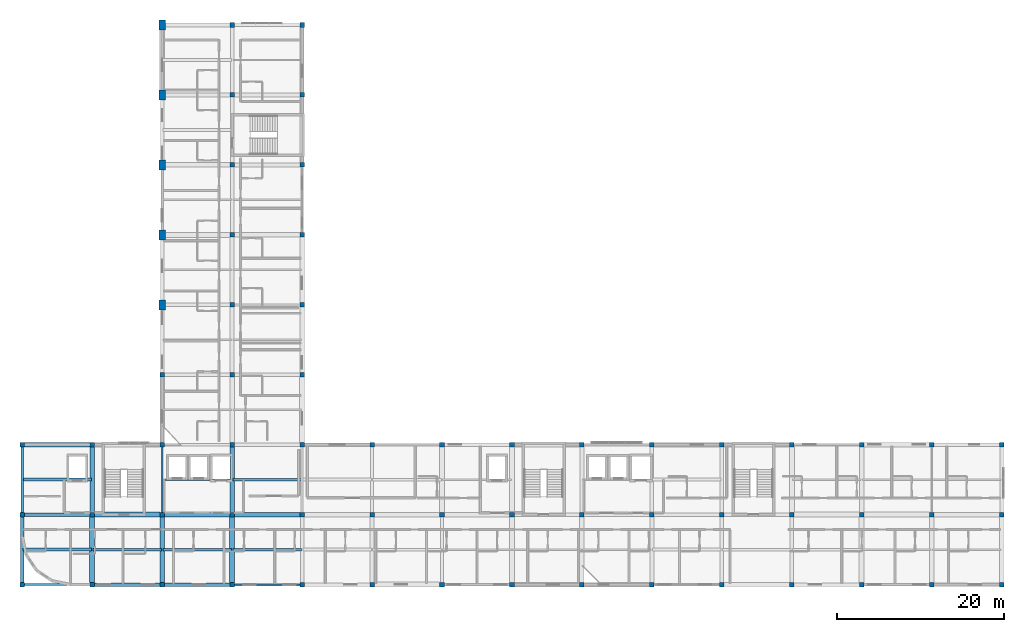
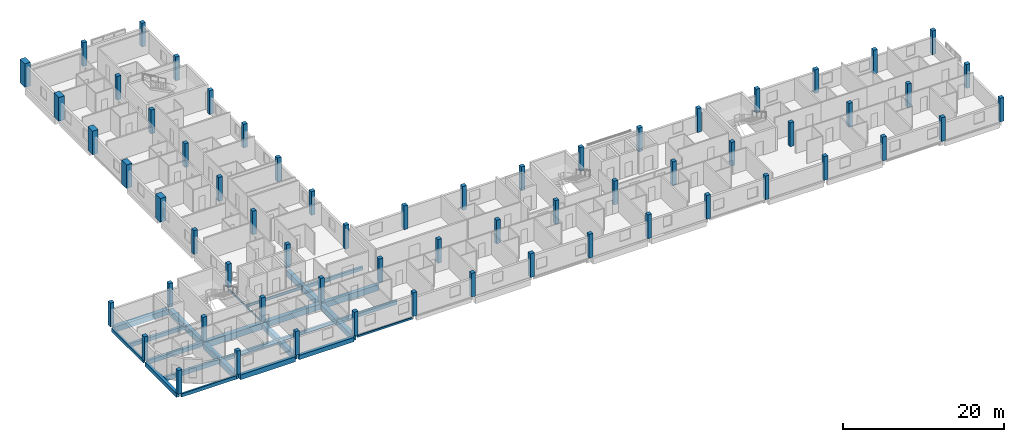
# One storey, part 1 of 20: 63 columns, 24 beams.
"""IFC4 building model written with IfcOpenShell, lengths in metres."""

from ifc_helpers import new_model, si_unit, derived_unit, direction, frame, origin, origin_2d, place, context, subcontext, project, spatial, rectangle, hollow_rectangle, i_section, extrude, material, material_profile, profile_set, type_object, element, save


model = new_model("IFC4")

# Units and contexts
model_context = context("Model", 3, precision=1e-05, world=origin(), true_north=direction((0.0, 1.0)))
body_context = subcontext(model_context, "Body", "Model", "MODEL_VIEW")
ifc_project = project(units=[si_unit("LENGTHUNIT", "METRE"), si_unit("AREAUNIT", "SQUARE_METRE"), si_unit("VOLUMEUNIT", "CUBIC_METRE"), si_unit("PLANEANGLEUNIT", "RADIAN"), si_unit("MASSUNIT", "GRAM", prefix="KILO"), derived_unit("THERMALTRANSMITTANCEUNIT", [(si_unit("POWERUNIT", "WATT"), 1), (si_unit("LENGTHUNIT", "METRE"), -2), (si_unit("THERMODYNAMICTEMPERATUREUNIT", "KELVIN"), -1)])], contexts=[model_context])

# Site, building, storey
site_placement = place(None, origin())
site = spatial("IfcSite", under=ifc_project, at=site_placement, CompositionType="ELEMENT")
building_placement = place(site_placement, origin())
building = spatial("IfcBuilding", under=site, at=building_placement, Name="Barrovel Congress Hotel", CompositionType="ELEMENT")
storey_placement = place(building_placement, frame((0.0, 0.0, 36.300048828125)))
storey = spatial("IfcBuildingStorey", under=building, at=storey_placement, Name="L09", CompositionType="ELEMENT", Elevation=36.300048828125)

# Columns
ifc_material_1 = material(Name="Concrete C40", Category="concrete")
ifc_material_profile_1 = material_profile(ifc_material_1, rectangle(XDim=0.550048828125, YDim=0.550048828125, at=origin_2d()), Name="RC550x550")
ifc_profile_set_1 = profile_set([ifc_material_profile_1], Name="Concrete C40")
column_type_1 = type_object("IfcColumnType", Name="COL-RC550x550", PredefinedType="COLUMN", material=ifc_profile_set_1)
for number, where, z_axis, x_axis, name in (
    (1, (16.800048828125, 4.199951171875, 0.0), (0.0, 0.0, 1.0), (1.0, 0.0, 0.0), "COL:L09:16.8:4.2"),
    (2, (16.800048828125, 12.60009765625, 0.0), (0.0, 0.0, 1.0), (1.0, 0.0, 0.0), "COL:L09:16.8:12.6"),
    (3, (16.800048828125, 21.0, 0.0), (0.0, 0.0, 1.0), (1.0, 0.0, 0.0), "COL:L09:16.8:21.0"),
    (4, (25.199951171875, 4.199951171875, 0.0), (0.0, 0.0, 1.0), (1.0, 0.0, 0.0), "COL:L09:25.2:4.2"),
    (5, (25.199951171875, 12.60009765625, 0.0), (0.0, 0.0, 1.0), (1.0, 0.0, 0.0), "COL:L09:25.2:12.6"),
    (6, (25.199951171875, 21.0, 0.0), (0.0, 0.0, 1.0), (1.0, 0.0, 0.0), "COL:L09:25.2:21.0"),
    (7, (33.60009765625, 4.199951171875, 0.0), (0.0, 0.0, 1.0), (1.0, 0.0, 0.0), "COL:L09:33.6:4.2"),
    (8, (33.60009765625, 12.60009765625, 0.0), (0.0, 0.0, 1.0), (1.0, 0.0, 0.0), "COL:L09:33.6:12.6"),
    (9, (33.60009765625, 21.0, 0.0), (0.0, 0.0, 1.0), (1.0, 0.0, 0.0), "COL:L09:33.6:21.0"),
    (10, (33.60009765625, 29.39990234375, 0.0), (0.0, 0.0, 1.0), (1.0, 0.0, 0.0), "COL:L09:33.6:29.4"),
    (11, (42.0, 4.199951171875, 0.0), (0.0, 0.0, 1.0), (1.0, 0.0, 0.0), "COL:L09:42.0:4.2"),
    (12, (42.0, 12.60009765625, 0.0), (0.0, 0.0, 1.0), (1.0, 0.0, 0.0), "COL:L09:42.0:12.6"),
    (13, (42.0, 21.0, 0.0), (0.0, 0.0, 1.0), (1.0, 0.0, 0.0), "COL:L09:42.0:21.0"),
    (14, (42.0, 29.39990234375, 0.0), (0.0, 0.0, 1.0), (1.0, 0.0, 0.0), "COL:L09:42.0:29.4"),
    (15, (42.0, 37.800048828125, 0.0), (0.0, 0.0, 1.0), (1.0, 0.0, 0.0), "COL:L09:42.0:37.8"),
    (16, (42.0, 46.199951171875, 0.0), (0.0, 0.0, 1.0), (1.0, 0.0, 0.0), "COL:L09:42.0:46.2"),
    (17, (42.0, 54.60009765625, 0.0), (0.0, 0.0, 1.0), (1.0, 0.0, 0.0), "COL:L09:42.0:54.6"),
    (18, (42.0, 63.0, 0.0), (0.0, 0.0, 1.0), (1.0, 0.0, 0.0), "COL:L09:42.0:63.0"),
    (19, (42.0, 71.39990234375, 0.0), (0.0, 0.0, 1.0), (1.0, 0.0, 0.0), "COL:L09:42.0:71.4"),
    (20, (50.39990234375, 4.199951171875, 0.0), (0.0, 0.0, 1.0), (1.0, 0.0, 0.0), "COL:L09:50.4:4.2"),
    (21, (50.39990234375, 12.60009765625, 0.0), (0.0, 0.0, 1.0), (1.0, 0.0, 0.0), "COL:L09:50.4:12.6"),
    (22, (50.39990234375, 21.0, 0.0), (0.0, 0.0, 1.0), (1.0, 0.0, 0.0), "COL:L09:50.4:21.0"),
    (23, (50.39990234375, 29.39990234375, 0.0), (0.0, 0.0, 1.0), (1.0, 0.0, 0.0), "COL:L09:50.4:29.4"),
    (24, (50.39990234375, 37.800048828125, 0.0), (0.0, 0.0, 1.0), (1.0, 0.0, 0.0), "COL:L09:50.4:37.8"),
    (25, (50.39990234375, 46.199951171875, 0.0), (0.0, 0.0, 1.0), (1.0, 0.0, 0.0), "COL:L09:50.4:46.2"),
    (26, (50.39990234375, 54.60009765625, 0.0), (0.0, 0.0, 1.0), (1.0, 0.0, 0.0), "COL:L09:50.4:54.6"),
    (27, (50.39990234375, 63.0, 0.0), (0.0, 0.0, 1.0), (1.0, 0.0, 0.0), "COL:L09:50.4:63.0"),
    (28, (50.39990234375, 71.39990234375, 0.0), (0.0, 0.0, 1.0), (1.0, 0.0, 0.0), "COL:L09:50.4:71.4"),
    (29, (58.800048828125, 4.199951171875, 0.0), (0.0, 0.0, 1.0), (1.0, 0.0, 0.0), "COL:L09:58.8:4.2"),
    (30, (58.800048828125, 12.60009765625, 0.0), (0.0, 0.0, 1.0), (1.0, 0.0, 0.0), "COL:L09:58.8:12.6"),
    (31, (58.800048828125, 21.0, 0.0), (0.0, 0.0, 1.0), (1.0, 0.0, 0.0), "COL:L09:58.8:21.0"),
    (32, (67.199951171875, 4.199951171875, 0.0), (0.0, 0.0, 1.0), (1.0, 0.0, 0.0), "COL:L09:67.2:4.2"),
    (33, (67.199951171875, 12.60009765625, 0.0), (0.0, 0.0, 1.0), (1.0, 0.0, 0.0), "COL:L09:67.2:12.6"),
    (34, (67.199951171875, 21.0, 0.0), (0.0, 0.0, 1.0), (1.0, 0.0, 0.0), "COL:L09:67.2:21.0"),
    (35, (75.60009765625, 4.199951171875, 0.0), (0.0, 0.0, 1.0), (1.0, 0.0, 0.0), "COL:L09:75.6:4.2"),
    (36, (75.60009765625, 12.60009765625, 0.0), (0.0, 0.0, 1.0), (1.0, 0.0, 0.0), "COL:L09:75.6:12.6"),
    (37, (75.60009765625, 21.0, 0.0), (0.0, 0.0, 1.0), (1.0, 0.0, 0.0), "COL:L09:75.6:21.0"),
    (38, (84.0, 4.199951171875, 0.0), (0.0, 0.0, 1.0), (1.0, 0.0, 0.0), "COL:L09:84.0:4.2"),
    (39, (84.0, 12.60009765625, 0.0), (0.0, 0.0, 1.0), (1.0, 0.0, 0.0), "COL:L09:84.0:12.6"),
    (40, (84.0, 21.0, 0.0), (0.0, 0.0, 1.0), (1.0, 0.0, 0.0), "COL:L09:84.0:21.0"),
    (41, (92.39990234375, 4.199951171875, 0.0), (0.0, 0.0, 1.0), (1.0, 0.0, 0.0), "COL:L09:92.4:4.2"),
    (42, (92.39990234375, 12.60009765625, 0.0), (0.0, 0.0, 1.0), (1.0, 0.0, 0.0), "COL:L09:92.4:12.6"),
    (43, (92.39990234375, 21.0, 0.0), (0.0, 0.0, 1.0), (1.0, 0.0, 0.0), "COL:L09:92.4:21.0"),
    (44, (100.800048828125, 4.199951171875, 0.0), (0.0, 0.0, 1.0), (1.0, 0.0, 0.0), "COL:L09:100.8:4.2"),
    (45, (100.800048828125, 12.60009765625, 0.0), (0.0, 0.0, 1.0), (1.0, 0.0, 0.0), "COL:L09:100.8:12.6"),
    (46, (100.800048828125, 21.0, 0.0), (0.0, 0.0, 1.0), (1.0, 0.0, 0.0), "COL:L09:100.8:21.0"),
    (47, (109.199951171875, 4.199951171875, 0.0), (0.0, 0.0, 1.0), (1.0, 0.0, 0.0), "COL:L09:109.2:4.2"),
    (48, (109.199951171875, 12.60009765625, 0.0), (0.0, 0.0, 1.0), (1.0, 0.0, 0.0), "COL:L09:109.2:12.6"),
    (49, (109.199951171875, 21.0, 0.0), (0.0, 0.0, 1.0), (1.0, 0.0, 0.0), "COL:L09:109.2:21.0"),
    (50, (117.60009765625, 4.199951171875, 0.0), (0.0, 0.0, 1.0), (1.0, 0.0, 0.0), "COL:L09:117.6:4.2"),
    (51, (117.60009765625, 12.60009765625, 0.0), (0.0, 0.0, 1.0), (1.0, 0.0, 0.0), "COL:L09:117.6:12.6"),
    (52, (117.60009765625, 21.0, 0.0), (0.0, 0.0, 1.0), (1.0, 0.0, 0.0), "COL:L09:117.6:21.0"),
    (53, (126.0, 4.199951171875, 0.0), (0.0, 0.0, 1.0), (1.0, 0.0, 0.0), "COL:L09:126.0:4.2"),
    (54, (126.0, 12.60009765625, 0.0), (0.0, 0.0, 1.0), (1.0, 0.0, 0.0), "COL:L09:126.0:12.6"),
    (55, (126.0, 21.0, 0.0), (0.0, 0.0, 1.0), (1.0, 0.0, 0.0), "COL:L09:126.0:21.0"),
    (56, (134.39990234375, 4.199951171875, 0.0), (0.0, 0.0, 1.0), (1.0, 0.0, 0.0), "COL:L09:134.4:4.2"),
    (57, (134.39990234375, 12.60009765625, 0.0), (0.0, 0.0, 1.0), (1.0, 0.0, 0.0), "COL:L09:134.4:12.6"),
    (58, (134.39990234375, 21.0, 0.0), (0.0, 0.0, 1.0), (1.0, 0.0, 0.0), "COL:L09:134.4:21.0"),
):
    element("IfcColumn", number, at=place(storey_placement, frame(where, z_axis=z_axis, x_axis=x_axis)), inside=storey, type_object=column_type_1, Name=name, PredefinedType="COLUMN", context=body_context, shape_type="SweptSolid", body=[
        extrude(rectangle(XDim=0.550048828125, YDim=0.550048828125, at=origin_2d()), origin(), (0.0, 0.0, 1.0), 3.599853515625),
    ])
ifc_material_profile_2 = material_profile(ifc_material_1, rectangle(XDim=0.800048828125, YDim=1.199951171875, at=origin_2d()), Name="RC800x1200")
ifc_profile_set_2 = profile_set([ifc_material_profile_2], Name="Concrete C40")
column_type_2 = type_object("IfcColumnType", Name="COL-RC800x1200", PredefinedType="COLUMN", material=ifc_profile_set_2)
for number, where, z_axis, x_axis, name in (
    (59, (33.60009765625, 37.800048828125, 0.0), (0.0, 0.0, 1.0), (1.0, 0.0, 0.0), "COL:L09:33.6:37.8"),
    (60, (33.60009765625, 46.199951171875, 0.0), (0.0, 0.0, 1.0), (1.0, 0.0, 0.0), "COL:L09:33.6:46.2"),
    (61, (33.60009765625, 54.60009765625, 0.0), (0.0, 0.0, 1.0), (1.0, 0.0, 0.0), "COL:L09:33.6:54.6"),
    (62, (33.60009765625, 63.0, 0.0), (0.0, 0.0, 1.0), (1.0, 0.0, 0.0), "COL:L09:33.6:63.0"),
    (63, (33.60009765625, 71.39990234375, 0.0), (0.0, 0.0, 1.0), (1.0, 0.0, 0.0), "COL:L09:33.6:71.4"),
):
    element("IfcColumn", number, at=place(storey_placement, frame(where, z_axis=z_axis, x_axis=x_axis)), inside=storey, type_object=column_type_2, Name=name, PredefinedType="COLUMN", context=body_context, shape_type="SweptSolid", body=[
        extrude(rectangle(XDim=0.800048828125, YDim=1.199951171875, at=origin_2d()), origin(), (0.0, 0.0, 1.0), 3.599853515625),
    ])

# Beams
ifc_material_profile_3 = material_profile(ifc_material_1, rectangle(XDim=0.25, YDim=0.5, at=origin_2d()), Name="RC250x500")
ifc_profile_set_3 = profile_set([ifc_material_profile_3], Name="Concrete C40")
beam_type_1 = type_object("IfcBeamType", Name="BM-RC250x500", PredefinedType="SPANDREL", material=ifc_profile_set_3)
for number, where, z_axis, x_axis, name in (
    (64, (17.074951171875, 4.199951171875, -0.469970703125), (1.0, 0.0, 0.0), (0.0, 1.0, 0.0), "BMX:L09:4.2:16.8-25.2"),
    (65, (16.800048828125, 12.875, -0.469970703125), (0.0, 1.0, 0.0), (-1.0, 0.0, 0.0), "BMY:L09:16.8:12.6-21.0"),
):
    element("IfcBeam", number, at=place(storey_placement, frame(where, z_axis=z_axis, x_axis=x_axis)), inside=storey, type_object=beam_type_1, Name=name, PredefinedType="SPANDREL", context=body_context, shape_type="SweptSolid", body=[
        extrude(rectangle(XDim=0.25, YDim=0.5, at=origin_2d()), origin(), (0.0, 0.0, 1.0), 7.85009765625),
    ])
ifc_material_profile_4 = material_profile(ifc_material_1, rectangle(XDim=0.300048828125, YDim=0.5, at=origin_2d()), Name="RC300x500")
ifc_profile_set_4 = profile_set([ifc_material_profile_4], Name="Concrete C40")
beam_type_2 = type_object("IfcBeamType", Name="BM-RC300x500", PredefinedType="JOIST", material=ifc_profile_set_4)
for number, where, z_axis, x_axis, name in (
    (66, (33.679931640625, 8.39990234375, -0.469970703125), (1.0, 0.0, 0.0), (0.0, 1.0, 0.0), "JST:L09:33.6:8.4"),
    (67, (42.080078125, 16.800048828125, -0.469970703125), (1.0, 0.0, 0.0), (0.0, 1.0, 0.0), "JST:L09:42.0:16.8"),
):
    element("IfcBeam", number, at=place(storey_placement, frame(where, z_axis=z_axis, x_axis=x_axis)), inside=storey, type_object=beam_type_2, Name=name, PredefinedType="JOIST", context=body_context, shape_type="SweptSolid", body=[
        extrude(rectangle(XDim=0.300048828125, YDim=0.5, at=origin_2d()), origin(), (0.0, 0.0, 1.0), 8.239990234375),
    ])
ifc_material_profile_5 = material_profile(ifc_material_1, rectangle(XDim=0.300048828125, YDim=0.60009765625, at=origin_2d()), Name="RC300x600")
ifc_profile_set_5 = profile_set([ifc_material_profile_5], Name="Concrete C40")
beam_type_3 = type_object("IfcBeamType", Name="BM-RC300x600", PredefinedType="JOIST", material=ifc_profile_set_5)
for number, where, z_axis, x_axis, name in (
    (68, (25.280029296875, 8.39990234375, -0.52001953125), (1.0, 0.0, 0.0), (0.0, 1.0, 0.0), "JST:L09:25.2:8.4"),
    (69, (42.080078125, 8.39990234375, -0.52001953125), (1.0, 0.0, 0.0), (0.0, 1.0, 0.0), "JST:L09:42.0:8.4"),
):
    element("IfcBeam", number, at=place(storey_placement, frame(where, z_axis=z_axis, x_axis=x_axis)), inside=storey, type_object=beam_type_3, Name=name, PredefinedType="JOIST", context=body_context, shape_type="SweptSolid", body=[
        extrude(rectangle(XDim=0.300048828125, YDim=0.60009765625, at=origin_2d()), origin(), (0.0, 0.0, 1.0), 8.239990234375),
    ])
ifc_material_profile_6 = material_profile(ifc_material_1, rectangle(XDim=0.35009765625, YDim=0.550048828125, at=origin_2d()), Name="RC350x550")
ifc_profile_set_6 = profile_set([ifc_material_profile_6], Name="Concrete C40")
beam_type_4 = type_object("IfcBeamType", Name="BM-RC350x550", PredefinedType="JOIST", material=ifc_profile_set_6)
beam_1_placement = place(storey_placement, frame((16.8798828125, 16.800048828125, -0.4951171875), z_axis=(1.0, 0.0, 0.0), x_axis=(0.0, 1.0, 0.0)))
element("IfcBeam", 70, at=beam_1_placement, inside=storey, type_object=beam_type_4, Name="JST:L09:16.8:16.8", PredefinedType="JOIST", context=body_context, shape_type="SweptSolid", body=[
    extrude(rectangle(XDim=0.35009765625, YDim=0.550048828125, at=origin_2d()), origin(), (0.0, 0.0, 1.0), 8.240234375),
])
ifc_material_profile_7 = material_profile(ifc_material_1, rectangle(XDim=0.35009765625, YDim=0.64990234375, at=origin_2d()), Name="RC350x650")
ifc_profile_set_7 = profile_set([ifc_material_profile_7], Name="Concrete C40")
beam_type_5 = type_object("IfcBeamType", Name="BM-RC350x650", PredefinedType="JOIST", material=ifc_profile_set_7)
beam_2_placement = place(storey_placement, frame((16.8798828125, 8.39990234375, -0.545166015625), z_axis=(1.0, 0.0, 0.0), x_axis=(0.0, 1.0, 0.0)))
element("IfcBeam", 71, at=beam_2_placement, inside=storey, type_object=beam_type_5, Name="JST:L09:16.8:8.4", PredefinedType="JOIST", context=body_context, shape_type="SweptSolid", body=[
    extrude(rectangle(XDim=0.35009765625, YDim=0.64990234375, at=origin_2d()), origin(), (0.0, 0.0, 1.0), 8.240234375),
])
ifc_material_profile_8 = material_profile(ifc_material_1, rectangle(XDim=0.39990234375, YDim=0.60009765625, at=origin_2d()), Name="RC400x600")
ifc_profile_set_8 = profile_set([ifc_material_profile_8], Name="Concrete C40")
beam_type_6 = type_object("IfcBeamType", Name="BM-RC400x600", PredefinedType="BEAM", material=ifc_profile_set_8)
beam_3_placement = place(storey_placement, frame((17.074951171875, 12.60009765625, -0.52001953125), z_axis=(1.0, 0.0, 0.0), x_axis=(0.0, 1.0, 0.0)))
element("IfcBeam", 72, at=beam_3_placement, inside=storey, type_object=beam_type_6, Name="BMX:L09:12.6:16.8-25.2", PredefinedType="BEAM", context=body_context, shape_type="SweptSolid", body=[
    extrude(rectangle(XDim=0.39990234375, YDim=0.60009765625, at=origin_2d()), origin(), (0.0, 0.0, 1.0), 7.85009765625),
])
beam_4_placement = place(storey_placement, frame((16.800048828125, 4.47509765625, -0.52001953125), z_axis=(0.0, 1.0, 0.0), x_axis=(-1.0, 0.0, 0.0)))
element("IfcBeam", 73, at=beam_4_placement, inside=storey, type_object=beam_type_6, Name="BMY:L09:16.8:4.2-12.6", PredefinedType="BEAM", context=body_context, shape_type="SweptSolid", body=[
    extrude(rectangle(XDim=0.39990234375, YDim=0.60009765625, at=origin_2d()), origin(), (0.0, 0.0, 1.0), 7.849853515625),
])
ifc_material_profile_9 = material_profile(ifc_material_1, rectangle(XDim=0.449951171875, YDim=0.64990234375, at=origin_2d()), Name="RC450x650")
ifc_profile_set_9 = profile_set([ifc_material_profile_9], Name="Concrete C40")
beam_type_7 = type_object("IfcBeamType", Name="BM-RC450x650", PredefinedType="BEAM", material=ifc_profile_set_9)
beam_5_placement = place(storey_placement, frame((33.875, 4.199951171875, -0.545166015625), z_axis=(1.0, 0.0, 0.0), x_axis=(0.0, 1.0, 0.0)))
element("IfcBeam", 74, at=beam_5_placement, inside=storey, type_object=beam_type_7, Name="BMX:L09:4.2:33.6-42.0", PredefinedType="BEAM", context=body_context, shape_type="SweptSolid", body=[
    extrude(rectangle(XDim=0.449951171875, YDim=0.64990234375, at=origin_2d()), origin(), (0.0, 0.0, 1.0), 7.85009765625),
])
ifc_material_profile_10 = material_profile(ifc_material_1, rectangle(XDim=0.449951171875, YDim=0.75, at=origin_2d()), Name="RC450x750")
ifc_profile_set_10 = profile_set([ifc_material_profile_10], Name="Concrete C40")
beam_type_8 = type_object("IfcBeamType", Name="BM-RC450x750", PredefinedType="BEAM", material=ifc_profile_set_10)
beam_6_placement = place(storey_placement, frame((25.47509765625, 4.199951171875, -0.594970703125), z_axis=(1.0, 0.0, 0.0), x_axis=(0.0, 1.0, 0.0)))
element("IfcBeam", 75, at=beam_6_placement, inside=storey, type_object=beam_type_8, Name="BMX:L09:4.2:25.2-33.6", PredefinedType="BEAM", context=body_context, shape_type="SweptSolid", body=[
    extrude(rectangle(XDim=0.449951171875, YDim=0.75, at=origin_2d()), origin(), (0.0, 0.0, 1.0), 7.849853515625),
])
ifc_material_profile_11 = material_profile(ifc_material_1, rectangle(XDim=0.550048828125, YDim=0.800048828125, at=origin_2d()), Name="RC550x800")
ifc_profile_set_11 = profile_set([ifc_material_profile_11], Name="Concrete C40")
beam_type_9 = type_object("IfcBeamType", Name="BM-RC550x800", PredefinedType="BEAM", material=ifc_profile_set_11)
beam_7_placement = place(storey_placement, frame((17.074951171875, 21.0, -0.6201171875), z_axis=(1.0, 0.0, 0.0), x_axis=(0.0, 1.0, 0.0)))
element("IfcBeam", 76, at=beam_7_placement, inside=storey, type_object=beam_type_9, Name="BMX:L09:21.0:16.8-25.2", PredefinedType="BEAM", context=body_context, shape_type="SweptSolid", body=[
    extrude(rectangle(XDim=0.550048828125, YDim=0.800048828125, at=origin_2d()), origin(), (0.0, 0.0, 1.0), 7.85009765625),
])
beam_8_placement = place(storey_placement, frame((33.60009765625, 4.47509765625, -0.6201171875), z_axis=(0.0, 1.0, 0.0), x_axis=(-1.0, 0.0, 0.0)))
element("IfcBeam", 77, at=beam_8_placement, inside=storey, type_object=beam_type_9, Name="BMY:L09:33.6:4.2-12.6", PredefinedType="BEAM", context=body_context, shape_type="SweptSolid", body=[
    extrude(rectangle(XDim=0.550048828125, YDim=0.800048828125, at=origin_2d()), origin(), (0.0, 0.0, 1.0), 7.849853515625),
])
ifc_material_profile_12 = material_profile(ifc_material_1, rectangle(XDim=0.550048828125, YDim=0.89990234375, at=origin_2d()), Name="RC550x900")
ifc_profile_set_12 = profile_set([ifc_material_profile_12], Name="Concrete C40")
beam_type_10 = type_object("IfcBeamType", Name="BM-RC550x900", PredefinedType="BEAM", material=ifc_profile_set_12)
for number, where, z_axis, x_axis, name in (
    (78, (42.27490234375, 12.60009765625, -0.670166015625), (1.0, 0.0, 0.0), (0.0, 1.0, 0.0), "BMX:L09:12.6:42.0-50.4"),
    (79, (25.199951171875, 12.875, -0.670166015625), (0.0, 1.0, 0.0), (-1.0, 0.0, 0.0), "BMY:L09:25.2:12.6-21.0"),
    (80, (42.0, 12.875, -0.670166015625), (0.0, 1.0, 0.0), (-1.0, 0.0, 0.0), "BMY:L09:42.0:12.6-21.0"),
):
    element("IfcBeam", number, at=place(storey_placement, frame(where, z_axis=z_axis, x_axis=x_axis)), inside=storey, type_object=beam_type_10, Name=name, PredefinedType="BEAM", context=body_context, shape_type="SweptSolid", body=[
        extrude(rectangle(XDim=0.550048828125, YDim=0.89990234375, at=origin_2d()), origin(), (0.0, 0.0, 1.0), 7.85009765625),
    ])
ifc_material_profile_13 = material_profile(ifc_material_1, rectangle(XDim=0.60009765625, YDim=0.85009765625, at=origin_2d()), Name="RC600x850")
ifc_profile_set_13 = profile_set([ifc_material_profile_13], Name="Concrete C40")
beam_type_11 = type_object("IfcBeamType", Name="BM-RC600x850", PredefinedType="BEAM", material=ifc_profile_set_13)
beam_9_placement = place(storey_placement, frame((33.875, 12.60009765625, -0.64501953125), z_axis=(1.0, 0.0, 0.0), x_axis=(0.0, 1.0, 0.0)))
element("IfcBeam", 81, at=beam_9_placement, inside=storey, type_object=beam_type_11, Name="BMX:L09:12.6:33.6-42.0", PredefinedType="BEAM", context=body_context, shape_type="SweptSolid", body=[
    extrude(rectangle(XDim=0.60009765625, YDim=0.85009765625, at=origin_2d()), origin(), (0.0, 0.0, 1.0), 7.85009765625),
])
for number, where, z_axis, x_axis, name in (
    (82, (25.199951171875, 4.47509765625, -0.64501953125), (0.0, 1.0, 0.0), (-1.0, 0.0, 0.0), "BMY:L09:25.2:4.2-12.6"),
    (83, (42.0, 4.47509765625, -0.64501953125), (0.0, 1.0, 0.0), (-1.0, 0.0, 0.0), "BMY:L09:42.0:4.2-12.6"),
):
    element("IfcBeam", number, at=place(storey_placement, frame(where, z_axis=z_axis, x_axis=x_axis)), inside=storey, type_object=beam_type_11, Name=name, PredefinedType="BEAM", context=body_context, shape_type="SweptSolid", body=[
        extrude(rectangle(XDim=0.60009765625, YDim=0.85009765625, at=origin_2d()), origin(), (0.0, 0.0, 1.0), 7.849853515625),
    ])
ifc_material_profile_14 = material_profile(ifc_material_1, rectangle(XDim=0.60009765625, YDim=0.949951171875, at=origin_2d()), Name="RC600x950")
ifc_profile_set_14 = profile_set([ifc_material_profile_14], Name="Concrete C40")
beam_type_12 = type_object("IfcBeamType", Name="BM-RC600x950", PredefinedType="BEAM", material=ifc_profile_set_14)
beam_10_placement = place(storey_placement, frame((25.47509765625, 12.60009765625, -0.695068359375), z_axis=(1.0, 0.0, 0.0), x_axis=(0.0, 1.0, 0.0)))
element("IfcBeam", 84, at=beam_10_placement, inside=storey, type_object=beam_type_12, Name="BMX:L09:12.6:25.2-33.6", PredefinedType="BEAM", context=body_context, shape_type="SweptSolid", body=[
    extrude(rectangle(XDim=0.60009765625, YDim=0.949951171875, at=origin_2d()), origin(), (0.0, 0.0, 1.0), 7.849853515625),
])
ifc_material_2 = material(Name="Steel ASTM A500 Grade C", Category="steel")
ifc_material_profile_15 = material_profile(ifc_material_2, hollow_rectangle(XDim=0.15234375, YDim=0.25390625, WallThickness=0.0087890625, InnerFilletRadius=0.0087890625, OuterFilletRadius=0.017578125, at=origin_2d()), Name="HSS254x152x9.5")
ifc_profile_set_15 = profile_set([ifc_material_profile_15], Name="Steel ASTM A500 Grade C")
beam_type_13 = type_object("IfcBeamType", Name="SBM-HSS254x152x9.5", PredefinedType="SPANDREL", material=ifc_profile_set_15)
beam_11_placement = place(storey_placement, frame((33.60009765625, 12.875, -0.34716796875), z_axis=(0.0, 1.0, 0.0), x_axis=(-1.0, 0.0, 0.0)))
element("IfcBeam", 85, at=beam_11_placement, inside=storey, type_object=beam_type_13, Name="BMY:L09:33.6:12.6-21.0", PredefinedType="SPANDREL", context=body_context, shape_type="SweptSolid", body=[
    extrude(hollow_rectangle(XDim=0.15234375, YDim=0.25390625, WallThickness=0.0087890625, InnerFilletRadius=0.0087890625, OuterFilletRadius=0.017578125, at=origin_2d()), origin(), (0.0, 0.0, 1.0), 7.85009765625),
])
ifc_material_profile_16 = material_profile(ifc_material_2, hollow_rectangle(XDim=0.203125, YDim=0.3046875, WallThickness=0.01171875, InnerFilletRadius=0.01171875, OuterFilletRadius=0.023681640625, at=origin_2d()), Name="HSS305x203x12.7")
ifc_profile_set_16 = profile_set([ifc_material_profile_16], Name="Steel ASTM A500 Grade C")
beam_type_14 = type_object("IfcBeamType", Name="SBM-HSS305x203x12.7", PredefinedType="SPANDREL", material=ifc_profile_set_16)
beam_12_placement = place(storey_placement, frame((42.27490234375, 4.199951171875, -0.37255859375), z_axis=(1.0, 0.0, 0.0), x_axis=(0.0, 1.0, 0.0)))
element("IfcBeam", 86, at=beam_12_placement, inside=storey, type_object=beam_type_14, Name="BMX:L09:4.2:42.0-50.4", PredefinedType="SPANDREL", context=body_context, shape_type="SweptSolid", body=[
    extrude(hollow_rectangle(XDim=0.203125, YDim=0.3046875, WallThickness=0.01171875, InnerFilletRadius=0.01171875, OuterFilletRadius=0.023681640625, at=origin_2d()), origin(), (0.0, 0.0, 1.0), 7.85009765625),
])
ifc_material_3 = material(Name="Steel ASTM A992 Grade 50", Category="steel")
ifc_material_profile_17 = material_profile(ifc_material_3, i_section(OverallWidth=0.177001953125, OverallDepth=0.403076171875, WebThickness=0.007568359375, FlangeThickness=0.010986328125, FilletRadius=0.011962890625, at=origin_2d()), Name="W410x53")
ifc_profile_set_17 = profile_set([ifc_material_profile_17], Name="Steel ASTM A992 Grade 50")
beam_type_15 = type_object("IfcBeamType", Name="SBM-W410x53", PredefinedType="JOIST", material=ifc_profile_set_17)
beam_13_placement = place(storey_placement, frame((33.679931640625, 16.800048828125, -0.421630859375), z_axis=(1.0, 0.0, 0.0), x_axis=(0.0, 1.0, 0.0)))
element("IfcBeam", 87, at=beam_13_placement, inside=storey, type_object=beam_type_15, Name="JST:L09:33.6:16.8", PredefinedType="JOIST", context=body_context, shape_type="SweptSolid", body=[
    extrude(i_section(OverallWidth=0.177001953125, OverallDepth=0.403076171875, WebThickness=0.007568359375, FlangeThickness=0.010986328125, FilletRadius=0.011962890625, at=origin_2d()), origin(), (0.0, 0.0, 1.0), 8.239990234375),
])

save(model, "model.ifc")
